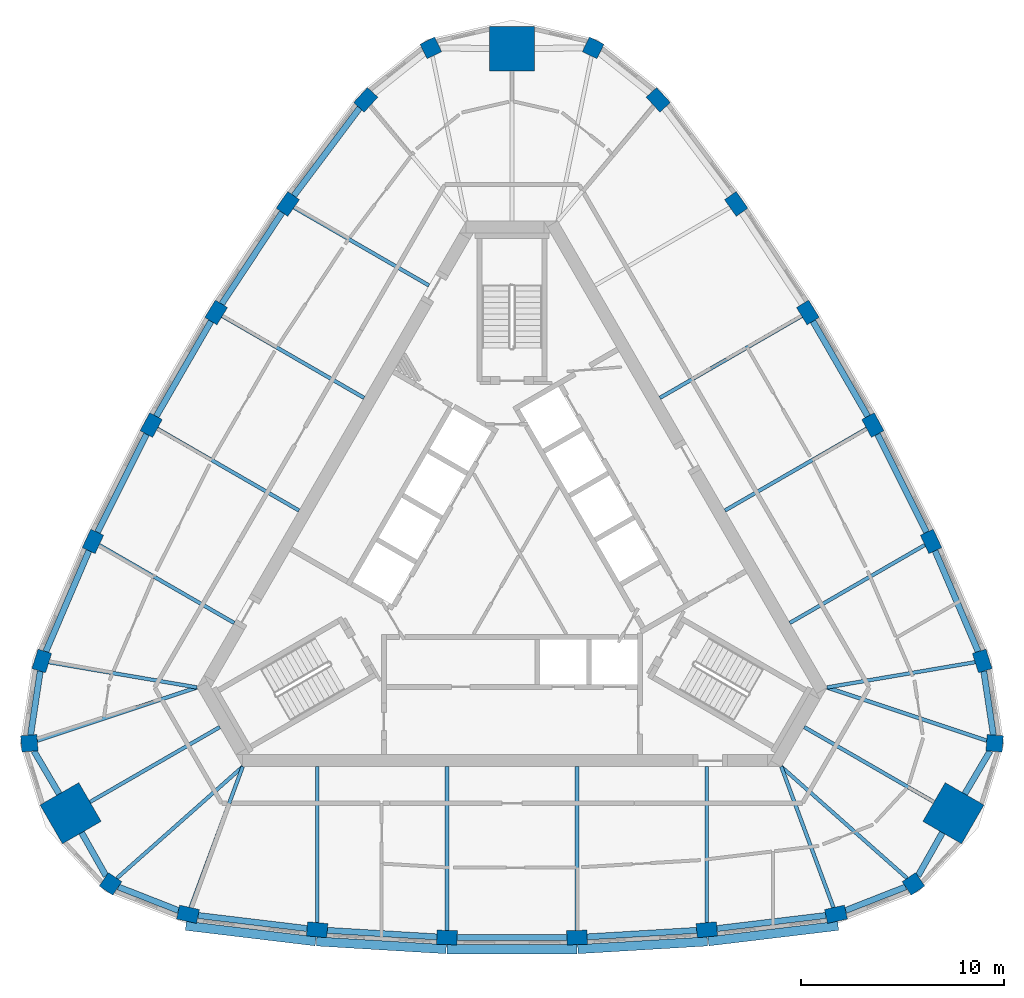
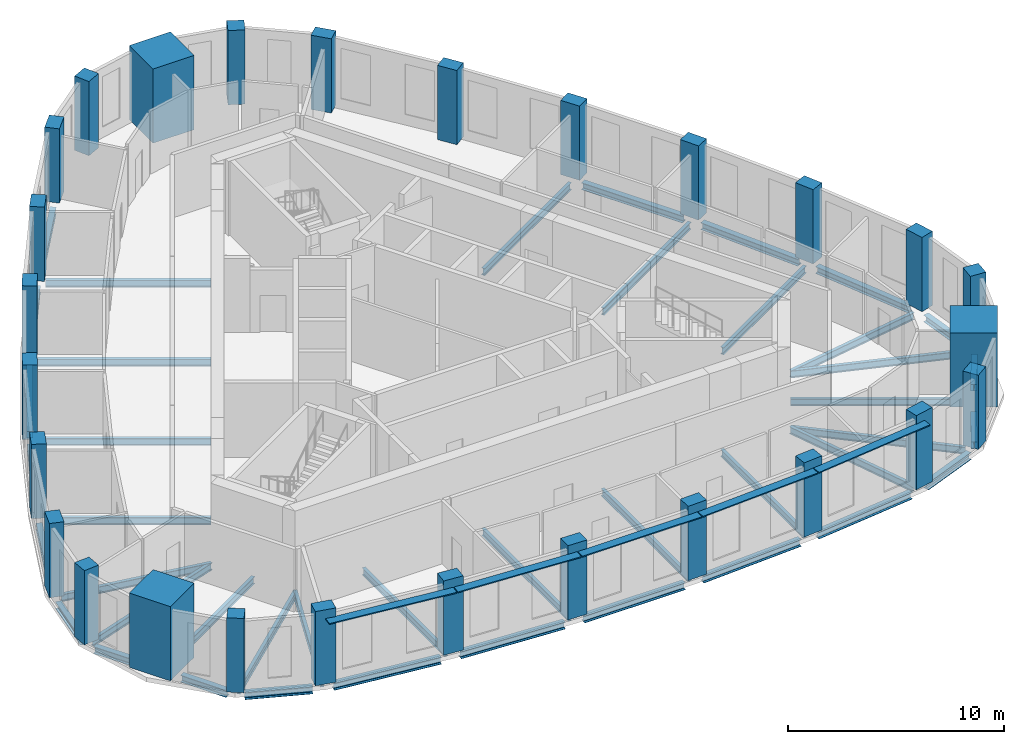
# One storey, part 1 of 10: 42 beams, 27 columns, 5 members.
"""IFC4 building model written with IfcOpenShell, lengths in metres."""

import ifcopenshell
import ifcopenshell.guid

model = None  # the IFC model being written
_history = None  # IfcOwnerHistory: only IFC2X3 demands one
_inside = {}  # id of a spatial element -> (the spatial element, [elements in it])
_under = {}  # id of a project, library or spatial element -> (it, [spatial elements below it])
_declared = {}  # id of a project -> (the project, [libraries it declares])
_typed = {}  # id of a type object -> (the type object, [elements of that type])
_made_of = {}  # id of a material, layer set ... -> (it, [elements and type objects made of it])


def new_model(schema):
    """Start an empty IFC model of exactly this schema.

    Asked for "IFC4X3", IfcOpenShell would pick the latest addendum, in which some entities
    have other attributes; the version numbers below select the first issue.
    IFC2X3 requires an IfcOwnerHistory on every rooted entity: one is made here for all.
    """
    global model, _history
    if schema == "IFC4X3":
        model = ifcopenshell.file(schema_version=(4, 3, 0, 0))
    else:
        model = ifcopenshell.file(schema=schema)
    _inside.clear()
    _under.clear()
    _declared.clear()
    _typed.clear()
    _made_of.clear()
    _history = None
    if model.schema == "IFC2X3":
        org = make("IfcOrganization", Name="unknown")
        user = make(
            "IfcPersonAndOrganization",
            ThePerson=make("IfcPerson", FamilyName="unknown"),
            TheOrganization=org,
        )
        app = make(
            "IfcApplication",
            ApplicationDeveloper=org,
            Version="unknown",
            ApplicationFullName="unknown",
            ApplicationIdentifier="unknown",
        )
        _history = make(
            "IfcOwnerHistory",
            OwningUser=user,
            OwningApplication=app,
            ChangeAction="ADDED",
            CreationDate=0,
        )
    return model


def make(cls, **values):
    """One entity of the class cls with the attributes given. An attribute that is None is left unset."""
    return model.create_entity(
        cls, **{name: value for name, value in values.items() if value is not None}
    )


def rooted(cls, **values):
    """An entity with a GlobalId (a new one), such as an element, a storey or a relation."""
    return make(cls, GlobalId=ifcopenshell.guid.new(), OwnerHistory=_history, **values)


def si_unit(unit_type, name, prefix=None):
    """IfcSIUnit, for example si_unit("LENGTHUNIT", "METRE", prefix="MILLI")."""
    return make("IfcSIUnit", UnitType=unit_type, Prefix=prefix, Name=name)


def assignment(units):
    """IfcUnitAssignment: the units of a project."""
    return None if units is None else make("IfcUnitAssignment", Units=units)


def point(xyz):
    """IfcCartesianPoint."""
    return None if xyz is None else make("IfcCartesianPoint", Coordinates=xyz)


def direction(xyz):
    """IfcDirection."""
    return None if xyz is None else make("IfcDirection", DirectionRatios=xyz)


def frame(location, z_axis=None, x_axis=None):
    """IfcAxis2Placement3D, a coordinate frame: its origin and axes. An axis left out is left unset."""
    return make(
        "IfcAxis2Placement3D",
        Location=point(location),
        Axis=direction(z_axis),
        RefDirection=direction(x_axis),
    )


def frame_2d(location, x_axis=None):
    """IfcAxis2Placement2D, a coordinate frame in the plane: its origin and x axis."""
    return make(
        "IfcAxis2Placement2D", Location=point(location), RefDirection=direction(x_axis)
    )


def origin():
    """The frame at (0, 0, 0) with its axes left unset."""
    return frame((0.0, 0.0, 0.0))


def origin_2d():
    """The frame at (0, 0) in the plane with its x axis left unset."""
    return frame_2d((0.0, 0.0))


def place(relative_to, where):
    """IfcLocalPlacement: puts the frame where relative to a parent placement (None: the world)."""
    return make(
        "IfcLocalPlacement", PlacementRelTo=relative_to, RelativePlacement=where
    )


def context(
    kind, dimensions, precision=None, world=None, true_north=None, identifier=None
):
    """IfcGeometricRepresentationContext, for example the 3D "Model" context."""
    return make(
        "IfcGeometricRepresentationContext",
        ContextIdentifier=identifier,
        ContextType=kind,
        CoordinateSpaceDimension=dimensions,
        Precision=precision,
        WorldCoordinateSystem=world,
        TrueNorth=true_north,
    )


def subcontext(parent, identifier, kind, view, scale=None):
    """IfcGeometricRepresentationSubContext, for example "Body" below "Model"."""
    return make(
        "IfcGeometricRepresentationSubContext",
        ContextIdentifier=identifier,
        ContextType=kind,
        ParentContext=parent,
        TargetScale=scale,
        TargetView=view,
    )


def project(units=None, contexts=None):
    """IfcProject with its units and contexts."""
    return rooted(
        "IfcProject",
        Name="project",
        RepresentationContexts=contexts,
        UnitsInContext=assignment(units),
    )


def spatial(cls, under=None, at=None, **own):
    """A site, building, storey or space (cls), placed at a placement, below another one or the project."""
    s = rooted(cls, ObjectPlacement=at, **own)
    if under is not None:
        _under.setdefault(under.id(), (under, []))[1].append(s)
    return s


def profile(cls, at=None, kind="AREA", **sizes):
    """A parametric profile (cls). Its sizes go by their IFC names, for example OverallWidth=200.0."""
    return make(cls, ProfileType=kind, Position=at, **sizes)


def rectangle(**sizes):
    """IfcRectangleProfileDef."""
    return profile("IfcRectangleProfileDef", **sizes)


def i_section(**sizes):
    """IfcIShapeProfileDef."""
    return profile("IfcIShapeProfileDef", **sizes)


def extrude(swept, where, along, depth):
    """IfcExtrudedAreaSolid: the profile swept, set in the frame where, extruded along a direction by depth."""
    return make(
        "IfcExtrudedAreaSolid",
        SweptArea=swept,
        Position=where,
        ExtrudedDirection=direction(along),
        Depth=depth,
    )


def shape(context_of_items, identifier, shape_type, items):
    """IfcShapeRepresentation: the items that make up one representation, for example the "Body"."""
    return make(
        "IfcShapeRepresentation",
        ContextOfItems=context_of_items,
        RepresentationIdentifier=identifier,
        RepresentationType=shape_type,
        Items=items,
    )


def material(Name=None, Category=None):
    """IfcMaterial."""
    return make("IfcMaterial", Name=Name, Category=Category)


def material_profile(
    of_material, cross_section, Name=None, Category=None, Priority=None
):
    """IfcMaterialProfile: a cross section and its material."""
    return make(
        "IfcMaterialProfile",
        Name=Name,
        Material=of_material,
        Profile=cross_section,
        Priority=Priority,
        Category=Category,
    )


def profile_set(profiles, Name=None, composite=None):
    """IfcMaterialProfileSet."""
    return make(
        "IfcMaterialProfileSet",
        Name=Name,
        MaterialProfiles=profiles,
        CompositeProfile=composite,
    )


def made_of(thing, what):
    """Note that an element or type object is made of a material, layer set ...; save() writes the relation."""
    if what is not None:
        _made_of.setdefault(what.id(), (what, []))[1].append(thing)
    return thing


def type_object(cls, material=None, **own):
    """A type object (cls), such as IfcWallType, which elements share."""
    return made_of(rooted(cls, **own), material)


def element(
    cls,
    number,
    at=None,
    inside=None,
    cuts=None,
    type_object=None,
    material=None,
    context=None,
    identifier="Body",
    shape_type=None,
    held_by="IfcProductDefinitionShape",
    body=None,
    shapes=None,
    **own,
):
    """One element of the class cls, such as IfcWall. Its Tag is "e" and its number.

    at: its placement. inside: the storey or other place that contains it. cuts: it is an
    opening in that element (IfcRelVoidsElement). A single representation is given by context,
    identifier, shape_type and body (its items); several are given by shapes. held_by: the class
    of the entity that holds the representations. save() writes the other relations.
    """
    e = rooted(cls, Tag="e%d" % number, ObjectPlacement=at, **own)
    if body is not None:
        shapes = [shape(context, identifier, shape_type, body)]
    if shapes is not None:
        e.Representation = make(held_by, Representations=shapes)
    if inside is not None:
        _inside.setdefault(inside.id(), (inside, []))[1].append(e)
    if cuts is not None:
        rooted(
            "IfcRelVoidsElement", RelatingBuildingElement=cuts, RelatedOpeningElement=e
        )
    if type_object is not None:
        _typed.setdefault(type_object.id(), (type_object, []))[1].append(e)
    return made_of(e, material)


def aggregate(whole, parts):
    """IfcRelAggregates: a whole, such as a stair, and the parts it consists of."""
    return rooted("IfcRelAggregates", RelatingObject=whole, RelatedObjects=parts)


def save(model, path):
    """Write the relations noted so far, then the file.

    IfcRelAggregates (storeys below a building ...), IfcRelContainedInSpatialStructure (elements
    in a storey), IfcRelDefinesByType, IfcRelAssociatesMaterial and IfcRelDeclares: one each for
    every whole, place, type object, material and project.
    """
    for whole, parts in _under.values():
        aggregate(whole, parts)
    for where, things in _inside.values():
        rooted(
            "IfcRelContainedInSpatialStructure",
            RelatedElements=things,
            RelatingStructure=where,
        )
    for kind, things in _typed.values():
        rooted("IfcRelDefinesByType", RelatedObjects=things, RelatingType=kind)
    for what, things in _made_of.values():
        rooted("IfcRelAssociatesMaterial", RelatedObjects=things, RelatingMaterial=what)
    for by, libraries in _declared.values():
        rooted("IfcRelDeclares", RelatingContext=by, RelatedDefinitions=libraries)
    model.write(path)


model = new_model("IFC4")

# Units and contexts
model_context = context("Model", 3, precision=1e-05, world=origin(), true_north=direction((0.0, 1.0)))
body_context = subcontext(model_context, "Body", "Model", "MODEL_VIEW")
ifc_project = project(units=[si_unit("LENGTHUNIT", "METRE"), si_unit("AREAUNIT", "SQUARE_METRE"), si_unit("VOLUMEUNIT", "CUBIC_METRE"), si_unit("PLANEANGLEUNIT", "RADIAN"), si_unit("MASSUNIT", "GRAM", prefix="KILO")], contexts=[model_context])

# Site, building, storey
site_placement = place(None, origin())
site = spatial("IfcSite", under=ifc_project, at=site_placement, CompositionType="ELEMENT")
building_placement = place(site_placement, origin())
building = spatial("IfcBuilding", under=site, at=building_placement, Name="Mestral Congress Tower", CompositionType="ELEMENT")
storey_placement = place(building_placement, frame((0.0, 0.0, 279.60009765625)))
storey = spatial("IfcBuildingStorey", under=building, at=storey_placement, Name="L65", CompositionType="ELEMENT", Elevation=279.60009765625)

# Columns
ifc_material_1 = material(Name="Concrete C60/75", Category="concrete")
ifc_material_profile_1 = material_profile(ifc_material_1, rectangle(XDim=1.0, YDim=0.699951171875, at=origin_2d()), Name="RC 1000x700")
ifc_profile_set_1 = profile_set([ifc_material_profile_1], Name="Concrete C60/75")
column_type_1 = type_object("IfcColumnType", Name="Column RC 1000x700 C60/75", PredefinedType="COLUMN", material=ifc_profile_set_1)
for number, where, z_axis, x_axis, name in (
    (1, (-15.940673828125, -17.511962890625, 0.0), (0.0, 0.0, 1.0), (0.976233636503, -0.216720758026, 0.0), "COL-L65-C5-S00"),
    (2, (-9.587158203125, -18.273681640625, 0.0), (0.0, 0.0, 1.0), (0.995997816519, -0.089377567035, 0.0), "COL-L65-C5-S01"),
    (3, (-3.199462890625, -18.6552734375, 0.0), (0.0, 0.0, 1.0), (0.999555031657, -0.029828487872, 0.0), "COL-L65-C5-S02"),
    (4, (3.199462890625, -18.6552734375, 0.0), (0.0, 0.0, 1.0), (0.999555031657, 0.029828487872, 0.0), "COL-L65-C5-S03"),
    (5, (9.587158203125, -18.273681640625, 0.0), (0.0, 0.0, 1.0), (0.995997816519, 0.089377567035, 0.0), "COL-L65-C5-S04"),
    (6, (15.940673828125, -17.511962890625, 0.0), (0.0, 0.0, 1.0), (0.976233636503, 0.216720758026, 0.0), "COL-L65-C5-S05"),
    (7, (23.135986328125, -5.049072265625, 0.0), (0.0, 0.0, 1.0), (-0.300431136274, 0.953803508254, 0.0), "COL-L65-C5-E00"),
    (8, (20.618896484375, 0.833984375, 0.0), (0.0, 0.0, 1.0), (-0.420595664679, 0.907248194737, 0.0), "COL-L65-C5-E01"),
    (9, (17.755615234375, 6.556640625, 0.0), (0.0, 0.0, 1.0), (-0.473945287575, 0.880554293832, 0.0), "COL-L65-C5-E02"),
    (10, (14.55615234375, 12.098388671875, 0.0), (0.0, 0.0, 1.0), (-0.525609744083, 0.850725805959, 0.0), "COL-L65-C5-E03"),
    (11, (11.031982421875, 17.439697265625, 0.0), (0.0, 0.0, 1.0), (-0.57540215184, 0.817870627702, 0.0), "COL-L65-C5-E04"),
    (12, (7.1953125, 22.56103515625, 0.0), (0.0, 0.0, 1.0), (-0.67580250023, 0.737082750228, 0.0), "COL-L65-C5-E05"),
    (13, (-7.1953125, 22.56103515625, 0.0), (0.0, 0.0, 1.0), (-0.67580250023, -0.737082750228, 0.0), "COL-L65-C5-W00"),
    (14, (-11.031982421875, 17.439697265625, 0.0), (0.0, 0.0, 1.0), (-0.57540215184, -0.817870627702, 0.0), "COL-L65-C5-W01"),
    (15, (-14.55615234375, 12.098388671875, 0.0), (0.0, 0.0, 1.0), (-0.525609744083, -0.850725805959, 0.0), "COL-L65-C5-W02"),
    (16, (-17.755615234375, 6.556640625, 0.0), (0.0, 0.0, 1.0), (-0.473945287575, -0.880554293832, 0.0), "COL-L65-C5-W03"),
    (17, (-20.618896484375, 0.833984375, 0.0), (0.0, 0.0, 1.0), (-0.420595664679, -0.907248194737, 0.0), "COL-L65-C5-W04"),
    (18, (-23.135986328125, -5.049072265625, 0.0), (0.0, 0.0, 1.0), (-0.300431136274, -0.953803508254, 0.0), "COL-L65-C5-W05"),
):
    element("IfcColumn", number, at=place(storey_placement, frame(where, z_axis=z_axis, x_axis=x_axis)), inside=storey, type_object=column_type_1, Name=name, PredefinedType="COLUMN", context=body_context, shape_type="SweptSolid", body=[
        extrude(rectangle(XDim=1.0, YDim=0.699951171875, at=origin_2d()), origin(), (0.0, 0.0, 1.0), 4.199951171875),
    ])
ifc_material_profile_2 = material_profile(ifc_material_1, rectangle(XDim=0.800048828125, YDim=0.800048828125, at=origin_2d()), Name="RC 800x800")
ifc_profile_set_2 = profile_set([ifc_material_profile_2], Name="Concrete C60/75")
column_type_2 = type_object("IfcColumnType", Name="Column RC 800x800 C60/75", PredefinedType="COLUMN", material=ifc_profile_set_2)
for number, where, z_axis, x_axis, name in (
    (19, (19.75439453125, -16.0166015625, 0.0), (0.0, 0.0, 1.0), (0.826362775296, 0.563138139008, 0.0), "COL-L65-C5-SE1"),
    (20, (23.748046875, -9.099609375, 0.0), (0.0, 0.0, 1.0), (0.074510546573, 0.997220225652, 0.0), "COL-L65-C5-SE3"),
    (21, (3.993408203125, 25.1162109375, 0.0), (0.0, 0.0, 1.0), (-0.900873321869, 0.434082086644, 0.0), "COL-L65-C5-N1"),
    (22, (-3.993408203125, 25.1162109375, 0.0), (0.0, 0.0, 1.0), (-0.900873321869, -0.434082086644, 0.0), "COL-L65-C5-N3"),
    (23, (-23.748046875, -9.099609375, 0.0), (0.0, 0.0, 1.0), (0.074510546573, -0.997220225652, 0.0), "COL-L65-C5-SW1"),
    (24, (-19.75439453125, -16.0166015625, 0.0), (0.0, 0.0, 1.0), (0.826362775296, -0.563138139008, 0.0), "COL-L65-C5-SW3"),
):
    element("IfcColumn", number, at=place(storey_placement, frame(where, z_axis=z_axis, x_axis=x_axis)), inside=storey, type_object=column_type_2, Name=name, PredefinedType="COLUMN", context=body_context, shape_type="SweptSolid", body=[
        extrude(rectangle(XDim=0.800048828125, YDim=0.800048828125, at=origin_2d()), origin(), (0.0, 0.0, 1.0), 4.199951171875),
    ])
ifc_material_profile_3 = material_profile(ifc_material_1, rectangle(XDim=2.199951171875, YDim=2.199951171875, at=origin_2d()), Name="RC 2200x2200")
ifc_profile_set_3 = profile_set([ifc_material_profile_3], Name="Concrete C60/75")
column_type_3 = type_object("IfcColumnType", Name="Mega column RC 2200x2200 C60/75", PredefinedType="COLUMN", material=ifc_profile_set_3)
for number, where, z_axis, x_axis, name in (
    (25, (21.71826171875, -12.5390625, 0.0), (0.0, 0.0, 1.0), (0.866025403784, -0.5, 0.0), "COL-L65-PY5-SE"),
    (26, (0.0, 25.078125, 0.0), (0.0, 0.0, 1.0), (0.0, 1.0, 0.0), "COL-L65-PY5-N"),
    (27, (-21.71826171875, -12.5390625, 0.0), (0.0, 0.0, 1.0), (-0.866025403784, -0.5, 0.0), "COL-L65-PY5-SW"),
):
    element("IfcColumn", number, at=place(storey_placement, frame(where, z_axis=z_axis, x_axis=x_axis)), inside=storey, type_object=column_type_3, Name=name, PredefinedType="COLUMN", context=body_context, shape_type="SweptSolid", body=[
        extrude(rectangle(XDim=2.199951171875, YDim=2.199951171875, at=origin_2d()), origin(), (0.0, 0.0, 1.0), 4.199951171875),
    ])

# Members
ifc_material_2 = material(Name="Glazed ceramic", Category="masonry")
ifc_material_profile_4 = material_profile(ifc_material_2, rectangle(XDim=0.449951171875, YDim=0.06005859375, at=origin_2d()), Name="Ceramic blade 450 x 60")
ifc_profile_set_4 = profile_set([ifc_material_profile_4], Name="Glazed ceramic")
member_type = type_object("IfcMemberType", Name="Facade sunshade blade 450 x 60", PredefinedType="USERDEFINED", material=ifc_profile_set_4)
member_1_placement = place(storey_placement, frame((-16.04638671875, -18.078369140625, 3.679931640625), z_axis=(0.992890306953, -0.119032929725, 0.0), x_axis=(0.119032929725, 0.992890306953, 0.0)))
element("IfcMember", 28, at=member_1_placement, inside=storey, type_object=member_type, Name="Sunshade F0-00", ObjectType="SUNSHADE", PredefinedType="USERDEFINED", context=body_context, shape_type="SweptSolid", body=[
    extrude(rectangle(XDim=0.449951171875, YDim=0.06005859375, at=origin_2d()), origin(), (0.0, 0.0, 1.0), 6.429931640625),
])
member_2_placement = place(storey_placement, frame((-9.614990234375, -18.84814453125, 3.679931640625), z_axis=(0.998222174469, -0.059602771735, 0.0), x_axis=(0.059602771735, 0.998222174469, 0.0)))
element("IfcMember", 29, at=member_2_placement, inside=storey, type_object=member_type, Name="Sunshade F0-01", ObjectType="SUNSHADE", PredefinedType="USERDEFINED", context=body_context, shape_type="SweptSolid", body=[
    extrude(rectangle(XDim=0.449951171875, YDim=0.06005859375, at=origin_2d()), origin(), (0.0, 0.0, 1.0), 6.385986328125),
])
member_3_placement = place(storey_placement, frame((-3.193115234375, -19.230224609375, 3.679931640625), z_axis=(1.0, 0.0, 0.0), x_axis=(0.0, 1.0, 0.0)))
element("IfcMember", 30, at=member_3_placement, inside=storey, type_object=member_type, Name="Sunshade F0-02", ObjectType="SUNSHADE", PredefinedType="USERDEFINED", context=body_context, shape_type="SweptSolid", body=[
    extrude(rectangle(XDim=0.449951171875, YDim=0.06005859375, at=origin_2d()), origin(), (0.0, 0.0, 1.0), 6.38623046875),
])
member_4_placement = place(storey_placement, frame((3.240478515625, -19.228759765625, 3.679931640625), z_axis=(0.998222174469, 0.059602771735, 0.0), x_axis=(-0.059602771735, 0.998222174469, 0.0)))
element("IfcMember", 31, at=member_4_placement, inside=storey, type_object=member_type, Name="Sunshade F0-03", ObjectType="SUNSHADE", PredefinedType="USERDEFINED", context=body_context, shape_type="SweptSolid", body=[
    extrude(rectangle(XDim=0.449951171875, YDim=0.06005859375, at=origin_2d()), origin(), (0.0, 0.0, 1.0), 6.385986328125),
])
member_5_placement = place(storey_placement, frame((9.662109375, -18.84375, 3.679931640625), z_axis=(0.992890306953, 0.119032929725, 0.0), x_axis=(-0.119032929725, 0.992890306953, 0.0)))
element("IfcMember", 32, at=member_5_placement, inside=storey, type_object=member_type, Name="Sunshade F0-04", ObjectType="SUNSHADE", PredefinedType="USERDEFINED", context=body_context, shape_type="SweptSolid", body=[
    extrude(rectangle(XDim=0.449951171875, YDim=0.06005859375, at=origin_2d()), origin(), (0.0, 0.0, 1.0), 6.429931640625),
])

# Beams
ifc_material_3 = material(Name="Steel S355", Category="steel")
ifc_material_profile_5 = material_profile(ifc_material_3, i_section(OverallWidth=0.179931640625, OverallDepth=0.39990234375, WebThickness=0.008544921875, FlangeThickness=0.013427734375, FilletRadius=0.02099609375, at=origin_2d()), Name="IPE 400")
ifc_profile_set_5 = profile_set([ifc_material_profile_5], Name="Steel S355")
beam_type_1 = type_object("IfcBeamType", Name="Floor beam IPE 400 S355", PredefinedType="BEAM", material=ifc_profile_set_5)
beam_1_placement = place(storey_placement, frame((-15.81787109375, -17.1806640625, -0.4501953125), z_axis=(0.347399345496, 0.937717278687, 0.0), x_axis=(-0.937717278687, 0.347399345496, 0.0)))
element("IfcBeam", 33, at=beam_1_placement, inside=storey, type_object=beam_type_1, Name="BM-L65-RB5-S00", PredefinedType="BEAM", context=body_context, shape_type="SweptSolid", body=[
    extrude(i_section(OverallWidth=0.179931640625, OverallDepth=0.39990234375, WebThickness=0.008544921875, FlangeThickness=0.013427734375, FilletRadius=0.02099609375, at=origin_2d()), origin(), (0.0, 0.0, 1.0), 7.39111328125),
])
beam_2_placement = place(storey_placement, frame((-9.587158203125, -17.92236328125, -0.4501953125), z_axis=(0.0, 1.0, 0.0), x_axis=(-1.0, 0.0, 0.0)))
element("IfcBeam", 34, at=beam_2_placement, inside=storey, type_object=beam_type_1, Name="BM-L65-RB5-S01", PredefinedType="BEAM", context=body_context, shape_type="SweptSolid", body=[
    extrude(i_section(OverallWidth=0.179931640625, OverallDepth=0.39990234375, WebThickness=0.008544921875, FlangeThickness=0.013427734375, FilletRadius=0.02099609375, at=origin_2d()), origin(), (0.0, 0.0, 1.0), 7.67236328125),
])
for number, where, z_axis, x_axis, name in (
    (35, (-3.199462890625, -18.304931640625, -0.4501953125), (0.0, 1.0, 0.0), (-1.0, 0.0, 0.0), "BM-L65-RB5-S02"),
    (36, (3.199462890625, -18.304931640625, -0.4501953125), (0.0, 1.0, 0.0), (-1.0, 0.0, 0.0), "BM-L65-RB5-S03"),
):
    element("IfcBeam", number, at=place(storey_placement, frame(where, z_axis=z_axis, x_axis=x_axis)), inside=storey, type_object=beam_type_1, Name=name, PredefinedType="BEAM", context=body_context, shape_type="SweptSolid", body=[
        extrude(i_section(OverallWidth=0.179931640625, OverallDepth=0.39990234375, WebThickness=0.008544921875, FlangeThickness=0.013427734375, FilletRadius=0.02099609375, at=origin_2d()), origin(), (0.0, 0.0, 1.0), 8.054931640625),
    ])
beam_3_placement = place(storey_placement, frame((9.587158203125, -17.92236328125, -0.4501953125), z_axis=(0.0, 1.0, 0.0), x_axis=(-1.0, 0.0, 0.0)))
element("IfcBeam", 37, at=beam_3_placement, inside=storey, type_object=beam_type_1, Name="BM-L65-RB5-S04", PredefinedType="BEAM", context=body_context, shape_type="SweptSolid", body=[
    extrude(i_section(OverallWidth=0.179931640625, OverallDepth=0.39990234375, WebThickness=0.008544921875, FlangeThickness=0.013427734375, FilletRadius=0.02099609375, at=origin_2d()), origin(), (0.0, 0.0, 1.0), 7.67236328125),
])
beam_4_placement = place(storey_placement, frame((15.81787109375, -17.1806640625, -0.4501953125), z_axis=(-0.347399345496, 0.937717278687, 0.0), x_axis=(-0.937717278687, -0.347399345496, 0.0)))
element("IfcBeam", 38, at=beam_4_placement, inside=storey, type_object=beam_type_1, Name="BM-L65-RB5-S05", PredefinedType="BEAM", context=body_context, shape_type="SweptSolid", body=[
    extrude(i_section(OverallWidth=0.179931640625, OverallDepth=0.39990234375, WebThickness=0.008544921875, FlangeThickness=0.013427734375, FilletRadius=0.02099609375, at=origin_2d()), origin(), (0.0, 0.0, 1.0), 7.39111328125),
])
beam_5_placement = place(storey_placement, frame((19.44580078125, -15.742919921875, -0.4501953125), z_axis=(-0.74826277439, 0.663402457383, 0.0), x_axis=(-0.663402457383, -0.74826277439, 0.0)))
element("IfcBeam", 39, at=beam_5_placement, inside=storey, type_object=beam_type_1, Name="BM-L65-RB5-SE1", PredefinedType="BEAM", context=body_context, shape_type="SweptSolid", body=[
    extrude(i_section(OverallWidth=0.179931640625, OverallDepth=0.39990234375, WebThickness=0.008544921875, FlangeThickness=0.013427734375, FilletRadius=0.02099609375, at=origin_2d()), origin(), (0.0, 0.0, 1.0), 8.280029296875),
])
beam_6_placement = place(storey_placement, frame((20.765625, -11.989013671875, -0.4501953125), z_axis=(-0.866031296205, 0.499989793889, 0.0), x_axis=(-0.499989793889, -0.866031296205, 0.0)))
element("IfcBeam", 40, at=beam_6_placement, inside=storey, type_object=beam_type_1, Name="BM-L65-RB5-SE", PredefinedType="BEAM", context=body_context, shape_type="SweptSolid", body=[
    extrude(i_section(OverallWidth=0.179931640625, OverallDepth=0.39990234375, WebThickness=0.008544921875, FlangeThickness=0.013427734375, FilletRadius=0.02099609375, at=origin_2d()), origin(), (0.0, 0.0, 1.0), 7.378173828125),
])
beam_7_placement = place(storey_placement, frame((23.356689453125, -8.968994140625, -0.4501953125), z_axis=(-0.948659706446, 0.316298532031, 0.0), x_axis=(-0.316298532031, -0.948659706446, 0.0)))
element("IfcBeam", 41, at=beam_7_placement, inside=storey, type_object=beam_type_1, Name="BM-L65-RB5-SE3", PredefinedType="BEAM", context=body_context, shape_type="SweptSolid", body=[
    extrude(i_section(OverallWidth=0.179931640625, OverallDepth=0.39990234375, WebThickness=0.008544921875, FlangeThickness=0.013427734375, FilletRadius=0.02099609375, at=origin_2d()), origin(), (0.0, 0.0, 1.0), 8.27978515625),
])
beam_8_placement = place(storey_placement, frame((22.787841796875, -5.1083984375, -0.4501953125), z_axis=(-0.985786503242, -0.168002886958, 0.0), x_axis=(0.168002886958, -0.985786503242, 0.0)))
element("IfcBeam", 42, at=beam_8_placement, inside=storey, type_object=beam_type_1, Name="BM-L65-RB5-E00", PredefinedType="BEAM", context=body_context, shape_type="SweptSolid", body=[
    extrude(i_section(OverallWidth=0.179931640625, OverallDepth=0.39990234375, WebThickness=0.008544921875, FlangeThickness=0.013427734375, FilletRadius=0.02099609375, at=origin_2d()), origin(), (0.0, 0.0, 1.0), 7.390869140625),
])
beam_9_placement = place(storey_placement, frame((20.314697265625, 0.658447265625, -0.4501953125), z_axis=(-0.866019720907, -0.500009842903, 0.0), x_axis=(0.500009842903, -0.866019720907, 0.0)))
element("IfcBeam", 43, at=beam_9_placement, inside=storey, type_object=beam_type_1, Name="BM-L65-RB5-E01", PredefinedType="BEAM", context=body_context, shape_type="SweptSolid", body=[
    extrude(i_section(OverallWidth=0.179931640625, OverallDepth=0.39990234375, WebThickness=0.008544921875, FlangeThickness=0.013427734375, FilletRadius=0.02099609375, at=origin_2d()), origin(), (0.0, 0.0, 1.0), 7.672119140625),
])
for number, where, z_axis, x_axis, name in (
    (44, (17.452392578125, 6.381591796875, -0.4501953125), (-0.866020537834, -0.500008427979, 0.0), (0.500008427979, -0.866020537834, 0.0), "BM-L65-RB5-E02"),
    (45, (14.2529296875, 11.92333984375, -0.4501953125), (-0.866033662086, -0.499985695929, 0.0), (0.499985695929, -0.866033662086, 0.0), "BM-L65-RB5-E03"),
):
    element("IfcBeam", number, at=place(storey_placement, frame(where, z_axis=z_axis, x_axis=x_axis)), inside=storey, type_object=beam_type_1, Name=name, PredefinedType="BEAM", context=body_context, shape_type="SweptSolid", body=[
        extrude(i_section(OverallWidth=0.179931640625, OverallDepth=0.39990234375, WebThickness=0.008544921875, FlangeThickness=0.013427734375, FilletRadius=0.02099609375, at=origin_2d()), origin(), (0.0, 0.0, 1.0), 8.054931640625),
    ])
beam_10_placement = place(storey_placement, frame((-10.7275390625, 17.263916015625, -0.4501953125), z_axis=(0.866019720907, -0.500009842903, 0.0), x_axis=(0.500009842903, 0.866019720907, 0.0)))
element("IfcBeam", 46, at=beam_10_placement, inside=storey, type_object=beam_type_1, Name="BM-L65-RB5-W01", PredefinedType="BEAM", context=body_context, shape_type="SweptSolid", body=[
    extrude(i_section(OverallWidth=0.179931640625, OverallDepth=0.39990234375, WebThickness=0.008544921875, FlangeThickness=0.013427734375, FilletRadius=0.02099609375, at=origin_2d()), origin(), (0.0, 0.0, 1.0), 7.672119140625),
])
for number, where, z_axis, x_axis, name in (
    (47, (-14.2529296875, 11.92333984375, -0.4501953125), (0.866033662086, -0.499985695929, 0.0), (0.499985695929, 0.866033662086, 0.0), "BM-L65-RB5-W02"),
    (48, (-17.452392578125, 6.381591796875, -0.4501953125), (0.866020537834, -0.500008427979, 0.0), (0.500008427979, 0.866020537834, 0.0), "BM-L65-RB5-W03"),
):
    element("IfcBeam", number, at=place(storey_placement, frame(where, z_axis=z_axis, x_axis=x_axis)), inside=storey, type_object=beam_type_1, Name=name, PredefinedType="BEAM", context=body_context, shape_type="SweptSolid", body=[
        extrude(i_section(OverallWidth=0.179931640625, OverallDepth=0.39990234375, WebThickness=0.008544921875, FlangeThickness=0.013427734375, FilletRadius=0.02099609375, at=origin_2d()), origin(), (0.0, 0.0, 1.0), 8.054931640625),
    ])
beam_11_placement = place(storey_placement, frame((-20.314697265625, 0.658447265625, -0.4501953125), z_axis=(0.866019720907, -0.500009842903, 0.0), x_axis=(0.500009842903, 0.866019720907, 0.0)))
element("IfcBeam", 49, at=beam_11_placement, inside=storey, type_object=beam_type_1, Name="BM-L65-RB5-W04", PredefinedType="BEAM", context=body_context, shape_type="SweptSolid", body=[
    extrude(i_section(OverallWidth=0.179931640625, OverallDepth=0.39990234375, WebThickness=0.008544921875, FlangeThickness=0.013427734375, FilletRadius=0.02099609375, at=origin_2d()), origin(), (0.0, 0.0, 1.0), 7.672119140625),
])
beam_12_placement = place(storey_placement, frame((-22.787841796875, -5.1083984375, -0.4501953125), z_axis=(0.985786503242, -0.168002886958, 0.0), x_axis=(0.168002886958, 0.985786503242, 0.0)))
element("IfcBeam", 50, at=beam_12_placement, inside=storey, type_object=beam_type_1, Name="BM-L65-RB5-W05", PredefinedType="BEAM", context=body_context, shape_type="SweptSolid", body=[
    extrude(i_section(OverallWidth=0.179931640625, OverallDepth=0.39990234375, WebThickness=0.008544921875, FlangeThickness=0.013427734375, FilletRadius=0.02099609375, at=origin_2d()), origin(), (0.0, 0.0, 1.0), 7.390869140625),
])
beam_13_placement = place(storey_placement, frame((-23.356689453125, -8.968994140625, -0.4501953125), z_axis=(0.948659706446, 0.316298532031, 0.0), x_axis=(-0.316298532031, 0.948659706446, 0.0)))
element("IfcBeam", 51, at=beam_13_placement, inside=storey, type_object=beam_type_1, Name="BM-L65-RB5-SW1", PredefinedType="BEAM", context=body_context, shape_type="SweptSolid", body=[
    extrude(i_section(OverallWidth=0.179931640625, OverallDepth=0.39990234375, WebThickness=0.008544921875, FlangeThickness=0.013427734375, FilletRadius=0.02099609375, at=origin_2d()), origin(), (0.0, 0.0, 1.0), 8.27978515625),
])
beam_14_placement = place(storey_placement, frame((-20.765625, -11.989013671875, -0.4501953125), z_axis=(0.866031296205, 0.499989793889, 0.0), x_axis=(-0.499989793889, 0.866031296205, 0.0)))
element("IfcBeam", 52, at=beam_14_placement, inside=storey, type_object=beam_type_1, Name="BM-L65-RB5-SW", PredefinedType="BEAM", context=body_context, shape_type="SweptSolid", body=[
    extrude(i_section(OverallWidth=0.179931640625, OverallDepth=0.39990234375, WebThickness=0.008544921875, FlangeThickness=0.013427734375, FilletRadius=0.02099609375, at=origin_2d()), origin(), (0.0, 0.0, 1.0), 7.378173828125),
])
beam_15_placement = place(storey_placement, frame((-19.44580078125, -15.742919921875, -0.4501953125), z_axis=(0.74826277439, 0.663402457383, 0.0), x_axis=(-0.663402457383, 0.74826277439, 0.0)))
element("IfcBeam", 53, at=beam_15_placement, inside=storey, type_object=beam_type_1, Name="BM-L65-RB5-SW3", PredefinedType="BEAM", context=body_context, shape_type="SweptSolid", body=[
    extrude(i_section(OverallWidth=0.179931640625, OverallDepth=0.39990234375, WebThickness=0.008544921875, FlangeThickness=0.013427734375, FilletRadius=0.02099609375, at=origin_2d()), origin(), (0.0, 0.0, 1.0), 8.280029296875),
])
ifc_material_profile_6 = material_profile(ifc_material_3, i_section(OverallWidth=0.300048828125, OverallDepth=0.389892578125, WebThickness=0.010986328125, FlangeThickness=0.01904296875, FilletRadius=0.027099609375, at=origin_2d()), Name="HEA 400")
ifc_profile_set_6 = profile_set([ifc_material_profile_6], Name="Steel S355")
beam_type_2 = type_object("IfcBeamType", Name="Spandrel beam HEA 400 S355", PredefinedType="BEAM", material=ifc_profile_set_6)
beam_16_placement = place(storey_placement, frame((-15.44189453125, -17.57177734375, -0.445068359375), z_axis=(0.992890319222, -0.119032827389, 0.0), x_axis=(0.119032827389, 0.992890319222, 0.0)))
element("IfcBeam", 54, at=beam_16_placement, inside=storey, type_object=beam_type_2, Name="SP-L65-SB5-S00", PredefinedType="BEAM", context=body_context, shape_type="SweptSolid", body=[
    extrude(i_section(OverallWidth=0.300048828125, OverallDepth=0.389892578125, WebThickness=0.010986328125, FlangeThickness=0.01904296875, FilletRadius=0.027099609375, at=origin_2d()), origin(), (0.0, 0.0, 1.0), 5.396240234375),
])
beam_17_placement = place(storey_placement, frame((-9.087890625, -18.303466796875, -0.445068359375), z_axis=(0.998219522722, -0.059647166371, 0.0), x_axis=(0.059647166371, 0.998219522722, 0.0)))
element("IfcBeam", 55, at=beam_17_placement, inside=storey, type_object=beam_type_2, Name="SP-L65-SB5-S01", PredefinedType="BEAM", context=body_context, shape_type="SweptSolid", body=[
    extrude(i_section(OverallWidth=0.300048828125, OverallDepth=0.389892578125, WebThickness=0.010986328125, FlangeThickness=0.01904296875, FilletRadius=0.027099609375, at=origin_2d()), origin(), (0.0, 0.0, 1.0), 5.398681640625),
])
beam_18_placement = place(storey_placement, frame((-2.69921875, -18.6552734375, -0.445068359375), z_axis=(1.0, 0.0, 0.0), x_axis=(0.0, 1.0, 0.0)))
element("IfcBeam", 56, at=beam_18_placement, inside=storey, type_object=beam_type_2, Name="SP-L65-SB5-S02", PredefinedType="BEAM", context=body_context, shape_type="SweptSolid", body=[
    extrude(i_section(OverallWidth=0.300048828125, OverallDepth=0.389892578125, WebThickness=0.010986328125, FlangeThickness=0.01904296875, FilletRadius=0.027099609375, at=origin_2d()), origin(), (0.0, 0.0, 1.0), 5.3984375),
])
beam_19_placement = place(storey_placement, frame((3.69873046875, -18.62548828125, -0.445068359375), z_axis=(0.998219522722, 0.059647166371, 0.0), x_axis=(-0.059647166371, 0.998219522722, 0.0)))
element("IfcBeam", 57, at=beam_19_placement, inside=storey, type_object=beam_type_2, Name="SP-L65-SB5-S03", PredefinedType="BEAM", context=body_context, shape_type="SweptSolid", body=[
    extrude(i_section(OverallWidth=0.300048828125, OverallDepth=0.389892578125, WebThickness=0.010986328125, FlangeThickness=0.01904296875, FilletRadius=0.027099609375, at=origin_2d()), origin(), (0.0, 0.0, 1.0), 5.398681640625),
])
beam_20_placement = place(storey_placement, frame((10.083984375, -18.214111328125, -0.445068359375), z_axis=(0.992890319222, 0.119032827389, 0.0), x_axis=(-0.119032827389, 0.992890319222, 0.0)))
element("IfcBeam", 58, at=beam_20_placement, inside=storey, type_object=beam_type_2, Name="SP-L65-SB5-S04", PredefinedType="BEAM", context=body_context, shape_type="SweptSolid", body=[
    extrude(i_section(OverallWidth=0.300048828125, OverallDepth=0.389892578125, WebThickness=0.010986328125, FlangeThickness=0.01904296875, FilletRadius=0.027099609375, at=origin_2d()), origin(), (0.0, 0.0, 1.0), 5.396240234375),
])
beam_21_placement = place(storey_placement, frame((16.411865234375, -17.3271484375, -0.445068359375), z_axis=(0.930980873283, 0.365067957485, 0.0), x_axis=(-0.365067957485, 0.930980873283, 0.0)))
element("IfcBeam", 59, at=beam_21_placement, inside=storey, type_object=beam_type_2, Name="SP-L65-SB5-S05", PredefinedType="BEAM", context=body_context, shape_type="SweptSolid", body=[
    extrude(i_section(OverallWidth=0.300048828125, OverallDepth=0.389892578125, WebThickness=0.010986328125, FlangeThickness=0.01904296875, FilletRadius=0.027099609375, at=origin_2d()), origin(), (0.0, 0.0, 1.0), 3.179931640625),
])
beam_22_placement = place(storey_placement, frame((19.9736328125, -15.628173828125, -0.445068359375), z_axis=(0.491728558518, 0.870748542771, 0.0), x_axis=(-0.870748542771, 0.491728558518, 0.0)))
element("IfcBeam", 60, at=beam_22_placement, inside=storey, type_object=beam_type_2, Name="SP-L65-SB5-SE1", PredefinedType="BEAM", context=body_context, shape_type="SweptSolid", body=[
    extrude(i_section(OverallWidth=0.300048828125, OverallDepth=0.389892578125, WebThickness=0.010986328125, FlangeThickness=0.01904296875, FilletRadius=0.027099609375, at=origin_2d()), origin(), (0.0, 0.0, 1.0), 2.44775390625),
])
beam_23_placement = place(storey_placement, frame((22.27734375, -11.591552734375, -0.445068359375), z_axis=(0.508218412694, 0.861228218882, 0.0), x_axis=(-0.861228218882, 0.508218412694, 0.0)))
element("IfcBeam", 61, at=beam_23_placement, inside=storey, type_object=beam_type_2, Name="SP-L65-SB5-SE", PredefinedType="BEAM", context=body_context, shape_type="SweptSolid", body=[
    extrude(i_section(OverallWidth=0.300048828125, OverallDepth=0.389892578125, WebThickness=0.010986328125, FlangeThickness=0.01904296875, FilletRadius=0.027099609375, at=origin_2d()), origin(), (0.0, 0.0, 1.0), 2.447509765625),
])
beam_24_placement = place(storey_placement, frame((23.686767578125, -8.69384765625, -0.445068359375), z_axis=(-0.149402818736, 0.98877641444, 0.0), x_axis=(-0.98877641444, -0.149402818736, 0.0)))
element("IfcBeam", 62, at=beam_24_placement, inside=storey, type_object=beam_type_2, Name="SP-L65-SB5-SE3", PredefinedType="BEAM", context=body_context, shape_type="SweptSolid", body=[
    extrude(i_section(OverallWidth=0.300048828125, OverallDepth=0.389892578125, WebThickness=0.010986328125, FlangeThickness=0.01904296875, FilletRadius=0.027099609375, at=origin_2d()), origin(), (0.0, 0.0, 1.0), 3.179931640625),
])
beam_25_placement = place(storey_placement, frame((22.9384765625, -4.587158203125, -0.445068359375), z_axis=(-0.393367759324, 0.919381208164, 0.0), x_axis=(-0.919381208164, -0.393367759324, 0.0)))
element("IfcBeam", 63, at=beam_25_placement, inside=storey, type_object=beam_type_2, Name="SP-L65-SB5-E00", PredefinedType="BEAM", context=body_context, shape_type="SweptSolid", body=[
    extrude(i_section(OverallWidth=0.300048828125, OverallDepth=0.389892578125, WebThickness=0.010986328125, FlangeThickness=0.01904296875, FilletRadius=0.027099609375, at=origin_2d()), origin(), (0.0, 0.0, 1.0), 5.396484375),
])
beam_26_placement = place(storey_placement, frame((20.395263671875, 1.281494140625, -0.445068359375), z_axis=(-0.44748491494, 0.894291479832, 0.0), x_axis=(-0.894291479832, -0.44748491494, 0.0)))
element("IfcBeam", 64, at=beam_26_placement, inside=storey, type_object=beam_type_2, Name="SP-L65-SB5-E01", PredefinedType="BEAM", context=body_context, shape_type="SweptSolid", body=[
    extrude(i_section(OverallWidth=0.300048828125, OverallDepth=0.389892578125, WebThickness=0.010986328125, FlangeThickness=0.01904296875, FilletRadius=0.027099609375, at=origin_2d()), origin(), (0.0, 0.0, 1.0), 5.3984375),
])
beam_27_placement = place(storey_placement, frame((17.505615234375, 6.989990234375, -0.445068359375), z_axis=(-0.500025177812, 0.86601086688, 0.0), x_axis=(-0.86601086688, -0.500025177812, 0.0)))
element("IfcBeam", 65, at=beam_27_placement, inside=storey, type_object=beam_type_2, Name="SP-L65-SB5-E02", PredefinedType="BEAM", context=body_context, shape_type="SweptSolid", body=[
    extrude(i_section(OverallWidth=0.300048828125, OverallDepth=0.389892578125, WebThickness=0.010986328125, FlangeThickness=0.01904296875, FilletRadius=0.027099609375, at=origin_2d()), origin(), (0.0, 0.0, 1.0), 5.398681640625),
])
beam_28_placement = place(storey_placement, frame((-7.49658203125, 22.158935546875, -0.445068359375), z_axis=(-0.599529393236, -0.800352738888, 0.0), x_axis=(0.800352738888, -0.599529393236, 0.0)))
element("IfcBeam", 66, at=beam_28_placement, inside=storey, type_object=beam_type_2, Name="SP-L65-SB5-W00", PredefinedType="BEAM", context=body_context, shape_type="SweptSolid", body=[
    extrude(i_section(OverallWidth=0.300048828125, OverallDepth=0.389892578125, WebThickness=0.010986328125, FlangeThickness=0.01904296875, FilletRadius=0.027099609375, at=origin_2d()), origin(), (0.0, 0.0, 1.0), 5.396484375),
])
beam_29_placement = place(storey_placement, frame((-11.307373046875, 17.02197265625, -0.445068359375), z_axis=(-0.550748957655, -0.83467094453, 0.0), x_axis=(0.83467094453, -0.550748957655, 0.0)))
element("IfcBeam", 67, at=beam_29_placement, inside=storey, type_object=beam_type_2, Name="SP-L65-SB5-W01", PredefinedType="BEAM", context=body_context, shape_type="SweptSolid", body=[
    extrude(i_section(OverallWidth=0.300048828125, OverallDepth=0.389892578125, WebThickness=0.010986328125, FlangeThickness=0.01904296875, FilletRadius=0.027099609375, at=origin_2d()), origin(), (0.0, 0.0, 1.0), 5.3984375),
])
beam_30_placement = place(storey_placement, frame((-14.80615234375, 11.665283203125, -0.445068359375), z_axis=(-0.500025177812, -0.86601086688, 0.0), x_axis=(0.86601086688, -0.500025177812, 0.0)))
element("IfcBeam", 68, at=beam_30_placement, inside=storey, type_object=beam_type_2, Name="SP-L65-SB5-W02", PredefinedType="BEAM", context=body_context, shape_type="SweptSolid", body=[
    extrude(i_section(OverallWidth=0.300048828125, OverallDepth=0.389892578125, WebThickness=0.010986328125, FlangeThickness=0.01904296875, FilletRadius=0.027099609375, at=origin_2d()), origin(), (0.0, 0.0, 1.0), 5.398681640625),
])
beam_31_placement = place(storey_placement, frame((-17.9794921875, 6.109375, -0.445068359375), z_axis=(-0.44748491494, -0.894291479832, 0.0), x_axis=(0.894291479832, -0.44748491494, 0.0)))
element("IfcBeam", 69, at=beam_31_placement, inside=storey, type_object=beam_type_2, Name="SP-L65-SB5-W03", PredefinedType="BEAM", context=body_context, shape_type="SweptSolid", body=[
    extrude(i_section(OverallWidth=0.300048828125, OverallDepth=0.389892578125, WebThickness=0.010986328125, FlangeThickness=0.01904296875, FilletRadius=0.027099609375, at=origin_2d()), origin(), (0.0, 0.0, 1.0), 5.3984375),
])
beam_32_placement = place(storey_placement, frame((-20.815673828125, 0.374267578125, -0.445068359375), z_axis=(-0.393367759324, -0.919381208164, 0.0), x_axis=(0.919381208164, -0.393367759324, 0.0)))
element("IfcBeam", 70, at=beam_32_placement, inside=storey, type_object=beam_type_2, Name="SP-L65-SB5-W04", PredefinedType="BEAM", context=body_context, shape_type="SweptSolid", body=[
    extrude(i_section(OverallWidth=0.300048828125, OverallDepth=0.389892578125, WebThickness=0.010986328125, FlangeThickness=0.01904296875, FilletRadius=0.027099609375, at=origin_2d()), origin(), (0.0, 0.0, 1.0), 5.396484375),
])
beam_33_placement = place(storey_placement, frame((-23.211669921875, -5.549560546875, -0.445068359375), z_axis=(-0.149402818736, -0.98877641444, 0.0), x_axis=(0.98877641444, -0.149402818736, 0.0)))
element("IfcBeam", 71, at=beam_33_placement, inside=storey, type_object=beam_type_2, Name="SP-L65-SB5-W05", PredefinedType="BEAM", context=body_context, shape_type="SweptSolid", body=[
    extrude(i_section(OverallWidth=0.300048828125, OverallDepth=0.389892578125, WebThickness=0.010986328125, FlangeThickness=0.01904296875, FilletRadius=0.027099609375, at=origin_2d()), origin(), (0.0, 0.0, 1.0), 3.179931640625),
])
beam_34_placement = place(storey_placement, frame((-23.521240234375, -9.483642578125, -0.445068359375), z_axis=(0.508218412694, -0.861228218882, 0.0), x_axis=(0.861228218882, 0.508218412694, 0.0)))
element("IfcBeam", 72, at=beam_34_placement, inside=storey, type_object=beam_type_2, Name="SP-L65-SB5-SW1", PredefinedType="BEAM", context=body_context, shape_type="SweptSolid", body=[
    extrude(i_section(OverallWidth=0.300048828125, OverallDepth=0.389892578125, WebThickness=0.010986328125, FlangeThickness=0.01904296875, FilletRadius=0.027099609375, at=origin_2d()), origin(), (0.0, 0.0, 1.0), 2.447509765625),
])
beam_35_placement = place(storey_placement, frame((-21.17724609375, -13.496826171875, -0.445068359375), z_axis=(0.491728558518, -0.870748542771, 0.0), x_axis=(0.870748542771, 0.491728558518, 0.0)))
element("IfcBeam", 73, at=beam_35_placement, inside=storey, type_object=beam_type_2, Name="SP-L65-SB5-SW", PredefinedType="BEAM", context=body_context, shape_type="SweptSolid", body=[
    extrude(i_section(OverallWidth=0.300048828125, OverallDepth=0.389892578125, WebThickness=0.010986328125, FlangeThickness=0.01904296875, FilletRadius=0.027099609375, at=origin_2d()), origin(), (0.0, 0.0, 1.0), 2.44775390625),
])
beam_36_placement = place(storey_placement, frame((-19.372314453125, -16.166259765625, -0.445068359375), z_axis=(0.930980873283, -0.365067957485, 0.0), x_axis=(0.365067957485, 0.930980873283, 0.0)))
element("IfcBeam", 74, at=beam_36_placement, inside=storey, type_object=beam_type_2, Name="SP-L65-SB5-SW3", PredefinedType="BEAM", context=body_context, shape_type="SweptSolid", body=[
    extrude(i_section(OverallWidth=0.300048828125, OverallDepth=0.389892578125, WebThickness=0.010986328125, FlangeThickness=0.01904296875, FilletRadius=0.027099609375, at=origin_2d()), origin(), (0.0, 0.0, 1.0), 3.179931640625),
])

save(model, "model.ifc")
